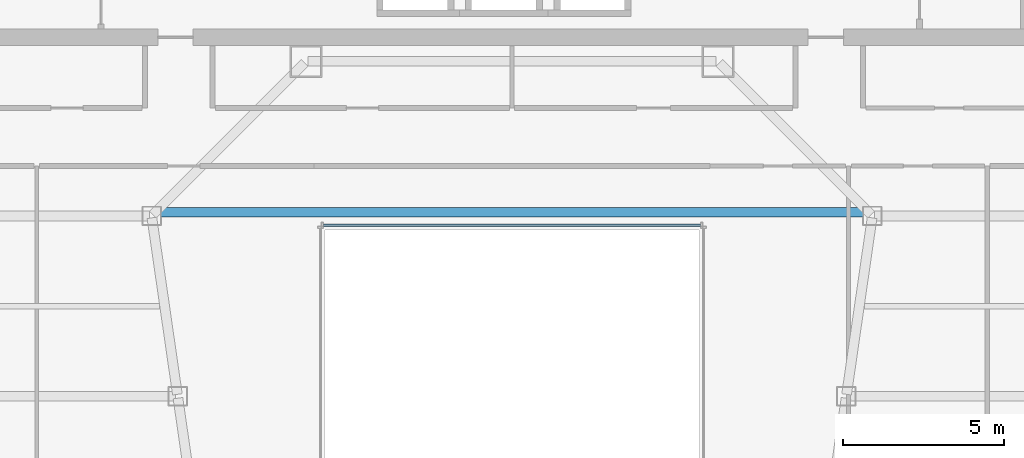
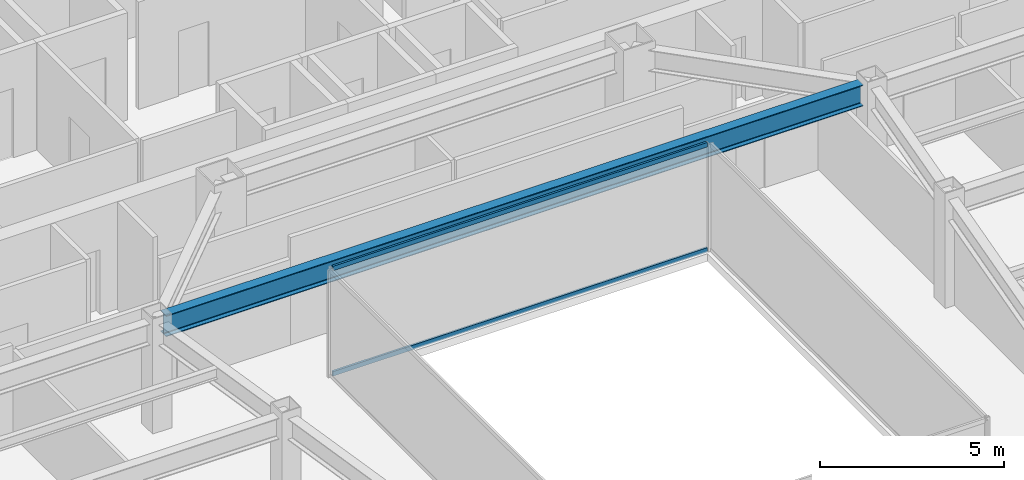
# One storey, part 12 of 37: 2 members, 1 beam, 1 element without a shape of its own.
"""IFC4 building model written with IfcOpenShell, lengths in metres."""

from ifc_helpers import new_model, si_unit, direction, frame, origin, origin_2d, place, context, subcontext, project, spatial, hollow_rectangle, i_section, extrude, material, material_profile, profile_set, type_object, element, aggregate, save


model = new_model("IFC4")

# Units and contexts
model_context = context("Model", 3, precision=1e-05, world=origin(), true_north=direction((0.0, 1.0)))
body_context = subcontext(model_context, "Body", "Model", "MODEL_VIEW")
ifc_project = project(units=[si_unit("LENGTHUNIT", "METRE"), si_unit("AREAUNIT", "SQUARE_METRE"), si_unit("VOLUMEUNIT", "CUBIC_METRE"), si_unit("PLANEANGLEUNIT", "RADIAN"), si_unit("MASSUNIT", "GRAM", prefix="KILO")], contexts=[model_context])

# Site, building, storey
site_placement = place(None, origin())
site = spatial("IfcSite", under=ifc_project, at=site_placement, CompositionType="ELEMENT")
building_placement = place(site_placement, origin())
building = spatial("IfcBuilding", under=site, at=building_placement, Name="Saevonmaru Cultural Tower", CompositionType="ELEMENT")
storey_placement = place(building_placement, frame((0.0, 0.0, 144.800048828125)))
storey = spatial("IfcBuildingStorey", under=building, at=storey_placement, Name="L31", CompositionType="ELEMENT", Elevation=144.800048828125)

# Beam
ifc_material_1 = material(Name="Steel SM355", Category="steel")
ifc_material_profile_1 = material_profile(ifc_material_1, i_section(OverallWidth=0.300048828125, OverallDepth=0.699951171875, WebThickness=0.012939453125, FlangeThickness=0.02392578125, FilletRadius=0.02587890625, at=origin_2d()), Name="H-700x300x13x24")
ifc_profile_set_1 = profile_set([ifc_material_profile_1], Name="Steel SM355")
beam_type = type_object("IfcBeamType", Name="BM-G-H700", PredefinedType="BEAM", material=ifc_profile_set_1)
beam_placement = place(storey_placement, frame((19.085693359375, 37.719970703125, 3.199951171875), z_axis=(1.0, 0.0, 0.0), x_axis=(0.0, 1.0, 0.0)))
element("IfcBeam", 1, at=beam_placement, inside=storey, type_object=beam_type, Name="L31 Central Link Girder", PredefinedType="BEAM", context=body_context, shape_type="SweptSolid", body=[
    extrude(i_section(OverallWidth=0.300048828125, OverallDepth=0.699951171875, WebThickness=0.012939453125, FlangeThickness=0.02392578125, FilletRadius=0.02587890625, at=origin_2d()), origin(), (0.0, 0.0, 1.0), 21.82861328125),
])

# Curtain wall, members
ifc_material_2 = material(Name="Satin Bronze Anodised Aluminium", Category="aluminium")
curtain_wall_type = type_object("IfcCurtainWallType", Name="CW-ATR-GLZ", PredefinedType="NOTDEFINED", material=ifc_material_2)
curtain_wall_placement = place(storey_placement, origin())
curtain_wall = element("IfcCurtainWall", 2, at=curtain_wall_placement, inside=storey, type_object=curtain_wall_type, Name="L31 Vertical Atrium Glazed Smoke Screen 3", PredefinedType="NOTDEFINED")
ifc_material_profile_2 = material_profile(ifc_material_2, hollow_rectangle(XDim=0.06494140625, YDim=0.14990234375, WallThickness=0.00390625, at=origin_2d()), Name="ALU-TRAN-150x65x4")
ifc_profile_set_2 = profile_set([ifc_material_profile_2], Name="Satin Bronze Anodised Aluminium")
member_type = type_object("IfcMemberType", Name="TR-CW-INT-150x65", PredefinedType="USERDEFINED", material=ifc_profile_set_2)
member_1_placement = place(storey_placement, frame((35.857421875, 37.31005859375, 0.032470703125), z_axis=(-1.0, 0.0, 0.0), x_axis=(0.0, -1.0, 0.0)))
member_1 = element("IfcMember", 3, at=member_1_placement, type_object=member_type, Name="CW-ATR-L31-3 transom 1.1", ObjectType="TRANSOM", PredefinedType="USERDEFINED", context=body_context, shape_type="SweptSolid", body=[
    extrude(hollow_rectangle(XDim=0.06494140625, YDim=0.14990234375, WallThickness=0.00390625, at=origin_2d()), origin(), (0.0, 0.0, 1.0), 11.71484375),
])
member_2_placement = place(storey_placement, frame((35.857421875, 37.31005859375, 3.517333984375), z_axis=(-1.0, 0.0, 0.0), x_axis=(0.0, -1.0, 0.0)))
member_2 = element("IfcMember", 4, at=member_2_placement, type_object=member_type, Name="CW-ATR-L31-3 transom 1.2", ObjectType="TRANSOM", PredefinedType="USERDEFINED", context=body_context, shape_type="SweptSolid", body=[
    extrude(hollow_rectangle(XDim=0.06494140625, YDim=0.14990234375, WallThickness=0.00390625, at=origin_2d()), origin(), (0.0, 0.0, 1.0), 11.71484375),
])
aggregate(curtain_wall, [member_1, member_2])

save(model, "model.ifc")
